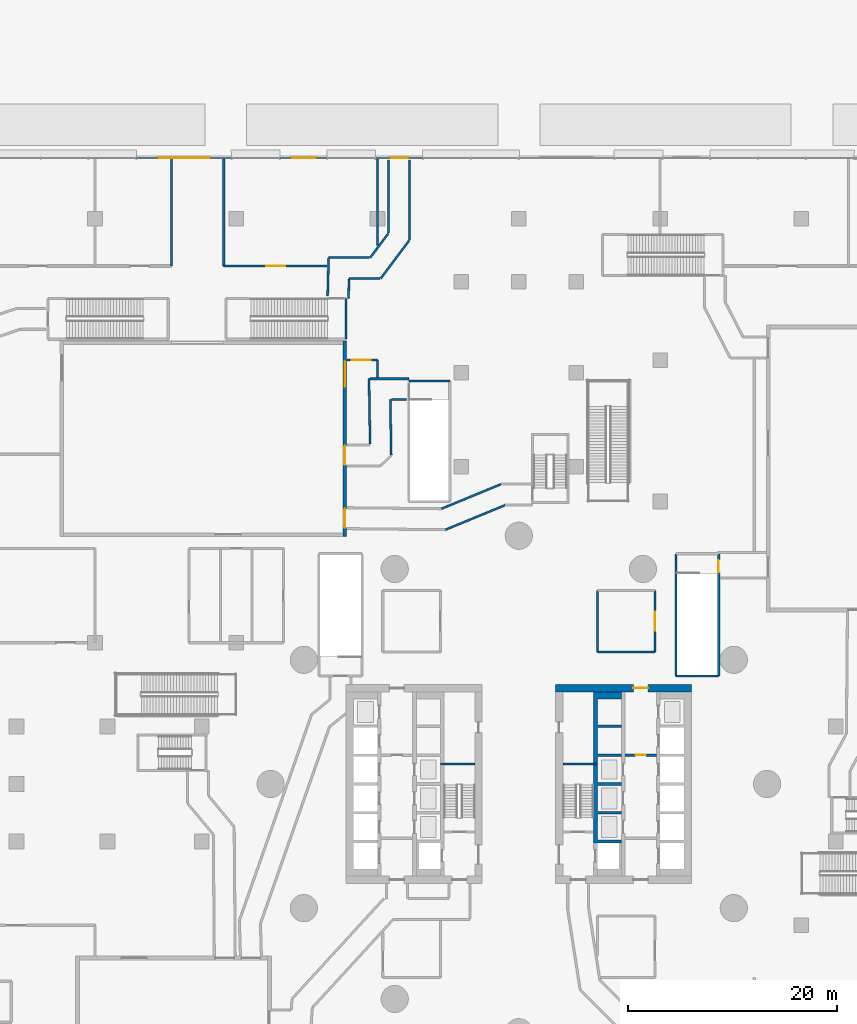
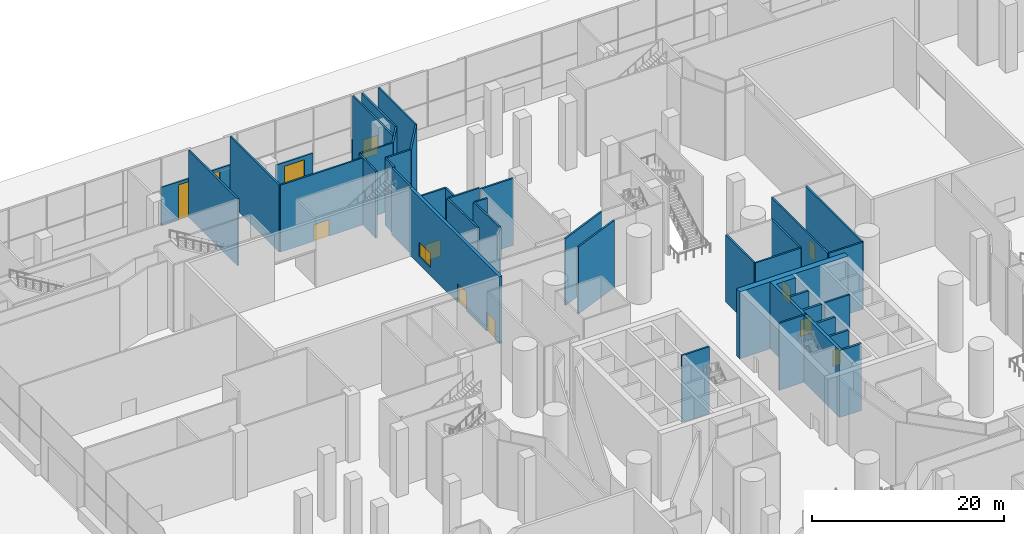
# One storey, part 29 of 54: 37 walls, 11 doors, 1 window, 12 openings.
"""IFC4 building model written with IfcOpenShell, lengths in metres."""

from ifc_helpers import new_model, si_unit, direction, frame, frame_2d, origin, place, context, subcontext, project, spatial, polyline, rectangle, outline, extrude, material, layer, layer_set, type_object, element, fill, save


model = new_model("IFC4")

# Units and contexts
model_context = context("Model", 3, precision=1e-05, world=origin(), true_north=direction((0.0, 1.0)))
body_context = subcontext(model_context, "Body", "Model", "MODEL_VIEW")
ifc_project = project(units=[si_unit("LENGTHUNIT", "METRE"), si_unit("AREAUNIT", "SQUARE_METRE"), si_unit("VOLUMEUNIT", "CUBIC_METRE"), si_unit("PLANEANGLEUNIT", "RADIAN"), si_unit("MASSUNIT", "GRAM", prefix="KILO")], contexts=[model_context])

# Site, building, storey
site_placement = place(None, origin())
site = spatial("IfcSite", under=ifc_project, at=site_placement, CompositionType="ELEMENT")
building_placement = place(site_placement, origin())
building = spatial("IfcBuilding", under=site, at=building_placement, Name="Tamarind Cross Interchange Tower", CompositionType="ELEMENT")
storey_placement = place(building_placement, origin())
storey = spatial("IfcBuildingStorey", under=building, at=storey_placement, Name="L00", CompositionType="ELEMENT", Elevation=0.0)

# Wall, opening, door
ifc_material_1 = material(Name="Concrete C80", Category="concrete")
ifc_layer_1 = layer(ifc_material_1, 0.699951171875)
ifc_layer_set_1 = layer_set([ifc_layer_1], Name="Concrete C80")
wall_type_1 = type_object("IfcWallType", Name="Core wall 700 mm Concrete C80", PredefinedType="SHEAR", material=ifc_layer_set_1)
wall_1_placement = place(storey_placement, frame((16.5, 9.14990234375, 0.0), z_axis=(0.0, 0.0, 1.0), x_axis=(-1.0, 0.0, 0.0)))
wall_1 = element("IfcWall", 1, at=wall_1_placement, inside=storey, type_object=wall_type_1, Name="Core wall CWL-L00-E-N", PredefinedType="SHEAR", context=body_context, shape_type="SweptSolid", body=[
    extrude(rectangle(XDim=13.0, YDim=0.699951171875, at=frame_2d((6.5, 0.0))), origin(), (0.0, 0.0, 1.0), 8.5),
])
opening_1_placement = place(wall_1_placement, frame((4.14990234375, 0.0, 0.0)))
opening_1 = element("IfcOpeningElement", 2, at=opening_1_placement, cuts=wall_1, Name="Opening DCE3", PredefinedType="OPENING", context=body_context, shape_type="SweptSolid", body=[
    extrude(rectangle(XDim=1.39990234375, YDim=2.10009765625, at=frame_2d((0.699951171875, 1.050048828125))), frame((0.0, 0.35986328125, 0.0), z_axis=(0.0, -1.0, 0.0), x_axis=(1.0, 0.0, 0.0)), (0.0, 0.0, 1.0), 0.719970703125),
])
ifc_material_2 = material(Name="Steel, fire-resisting", Category="steel")
door_type_1 = type_object("IfcDoorType", Name="Core fire door 1400 x 2100 FD90", OperationType="SINGLE_SWING_LEFT", PredefinedType="DOOR", material=ifc_material_2)
door_1_placement = place(opening_1_placement, origin())
door_1 = element("IfcDoor", 3, at=door_1_placement, inside=storey, type_object=door_type_1, Name="L00 observation lobby door", OperationType="SINGLE_SWING_LEFT", OverallHeight=2.10009765625, OverallWidth=1.39990234375, PredefinedType="DOOR", context=body_context, shape_type="SweptSolid", body=[
    extrude(rectangle(XDim=1.39990234375, YDim=2.10009765625, at=frame_2d((0.699951171875, 1.050048828125))), frame((0.0, 0.02490234375, 0.0), z_axis=(0.0, -1.0, 0.0), x_axis=(1.0, 0.0, 0.0)), (0.0, 0.0, 1.0), 0.050048828125),
])
fill(opening_1, door_1)

# Walls
ifc_layer_2 = layer(ifc_material_1, 0.199951171875)
ifc_layer_set_2 = layer_set([ifc_layer_2], Name="Concrete C80")
wall_type_2 = type_object("IfcWallType", Name="Core web wall 200 mm Concrete C80", PredefinedType="SHEAR", material=ifc_layer_set_2)
for number, where, z_axis, x_axis, name in (
    (4, (-7.5, 1.89990234375, 0.0), (0.0, 0.0, 1.0), (1.0, 0.0, 0.0), "Core wall CWL-L00-W-BD"),
    (5, (7.5, 1.89990234375, 0.0), (0.0, 0.0, 1.0), (-1.0, 0.0, 0.0), "Core wall CWL-L00-E-BD"),
):
    element("IfcWall", number, at=place(storey_placement, frame(where, z_axis=z_axis, x_axis=x_axis)), inside=storey, type_object=wall_type_2, Name=name, PredefinedType="SHEAR", context=body_context, shape_type="SweptSolid", body=[
        extrude(rectangle(XDim=3.300048828125, YDim=0.199951171875, at=frame_2d((1.64990234375, 0.0))), origin(), (0.0, 0.0, 1.0), 8.5),
    ])
ifc_layer_3 = layer(ifc_material_1, 0.35009765625)
ifc_layer_set_3 = layer_set([ifc_layer_3], Name="Concrete C80")
wall_type_3 = type_object("IfcWallType", Name="Core web wall 350 mm Concrete C80", PredefinedType="SHEAR", material=ifc_layer_set_3)
wall_2_placement = place(storey_placement, origin())
element("IfcWall", 6, at=wall_2_placement, inside=storey, type_object=wall_type_3, Name="Core wall CWL-L00-E-BN", PredefinedType="SHEAR", context=body_context, shape_type="SweptSolid", body=[
    extrude(outline(polyline([(9.800048828125, -5.375), (7.5, -5.375), (7.5, -2.875), (9.800048828125, -2.875), (9.800048828125, -2.625), (7.5, -2.625), (7.5, -0.125), (9.800048828125, -0.125), (9.800048828125, 0.125), (7.5, 0.125), (7.5, 2.625), (9.800048828125, 2.625), (9.800048828125, 2.875), (7.5, 2.875), (7.5, 5.375), (9.800048828125, 5.375), (9.800048828125, 5.625), (7.5, 5.625), (7.5, 8.125), (9.800048828125, 8.125), (9.800048828125, 8.800048828125), (7.5, 8.800048828125), (7.14990234375, 8.800048828125), (7.14990234375, -5.625), (7.5, -5.625), (9.800048828125, -5.625), (9.800048828125, -5.375)])), origin(), (0.0, 0.0, 1.0), 8.5),
])
ifc_material_3 = material(Name="Masonry partition, fire-rated", Category="masonry")
ifc_layer_4 = layer(ifc_material_3, 0.199951171875)
ifc_layer_set_4 = layer_set([ifc_layer_4], Name="Masonry partition, fire-rated")
wall_type_4 = type_object("IfcWallType", Name="Fire partition 200 EI 120", PredefinedType="PARTITIONING", material=ifc_layer_set_4)
for number, where, z_axis, x_axis, name in (
    (7, (-33.199951171875, 49.5, 0.0), (0.0, 0.0, 1.0), (0.0, 1.0, 0.0), "L00 partition 78"),
    (8, (-28.199951171875, 49.5, 0.0), (0.0, 0.0, 1.0), (0.0, 1.0, 0.0), "L00 partition 88"),
):
    element("IfcWall", number, at=place(storey_placement, frame(where, z_axis=z_axis, x_axis=x_axis)), inside=storey, type_object=wall_type_4, Name=name, PredefinedType="PARTITIONING", context=body_context, shape_type="SweptSolid", body=[
        extrude(rectangle(XDim=10.198974609375, YDim=0.199951171875, at=frame_2d((5.099609375, 0.0))), origin(), (0.0, 0.0, 1.0), 8.5),
    ])

# Wall, opening, door
wall_3_placement = place(storey_placement, frame((-16.419921875, 40.5, 0.0), z_axis=(0.0, 0.0, 1.0), x_axis=(1.0, 0.0, 0.0)))
wall_3 = element("IfcWall", 9, at=wall_3_placement, inside=storey, type_object=wall_type_4, Name="L00 partition 91", PredefinedType="PARTITIONING", context=body_context, shape_type="SweptSolid", body=[
    extrude(rectangle(XDim=2.919921875, YDim=0.199951171875, at=frame_2d((1.4599609375, 0.0))), origin(), (0.0, 0.0, 1.0), 8.5),
])
opening_2_placement = place(wall_3_placement, frame((0.455078125, 0.0, 0.0)))
opening_2 = element("IfcOpeningElement", 10, at=opening_2_placement, cuts=wall_3, Name="Opening DL00-36", PredefinedType="OPENING", context=body_context, shape_type="SweptSolid", body=[
    extrude(rectangle(XDim=1.800048828125, YDim=2.10009765625, at=frame_2d((0.89990234375, 1.050048828125))), frame((0.0, 0.10986328125, 0.0), z_axis=(0.0, -1.0, 0.0), x_axis=(1.0, 0.0, 0.0)), (0.0, 0.0, 1.0), 0.219970703125),
])
door_type_2 = type_object("IfcDoorType", Name="Podium door 1800 x 2100 FD60", OperationType="SINGLE_SWING_LEFT", PredefinedType="DOOR", material=ifc_material_2)
door_2_placement = place(opening_2_placement, origin())
door_2 = element("IfcDoor", 11, at=door_2_placement, inside=storey, type_object=door_type_2, Name="L00 door Ticket Agency 0006", OperationType="SINGLE_SWING_RIGHT", OverallHeight=2.10009765625, OverallWidth=1.800048828125, PredefinedType="DOOR", context=body_context, shape_type="SweptSolid", body=[
    extrude(rectangle(XDim=1.800048828125, YDim=2.10009765625, at=frame_2d((0.89990234375, 1.050048828125))), frame((0.0, 0.02490234375, 0.0), z_axis=(0.0, -1.0, 0.0), x_axis=(1.0, 0.0, 0.0)), (0.0, 0.0, 1.0), 0.050048828125),
])
fill(opening_2, door_2)

# Wall
ifc_layer_5 = layer(ifc_material_3, 0.199951171875)
ifc_layer_set_5 = layer_set([ifc_layer_5], Name="Masonry partition, fire-rated")
wall_type_5 = type_object("IfcWallType", Name="Fire partition 200 EI 180", PredefinedType="PARTITIONING", material=ifc_layer_set_5)
wall_4_placement = place(storey_placement, frame((-13.5, 51.433349609375, 0.0), z_axis=(0.0, 0.0, 1.0), x_axis=(0.0, 1.0, 0.0)))
element("IfcWall", 12, at=wall_4_placement, inside=storey, type_object=wall_type_5, Name="L00 partition 86", PredefinedType="PARTITIONING", context=body_context, shape_type="SweptSolid", body=[
    extrude(rectangle(XDim=8.265625, YDim=0.199951171875, at=frame_2d((4.1328125, 0.0))), origin(), (0.0, 0.0, 1.0), 8.5),
])

# Wall, opening, door
wall_5_placement = place(storey_placement, frame((-28.199951171875, 49.5, 0.0), z_axis=(0.0, 0.0, 1.0), x_axis=(1.0, 0.0, 0.0)))
wall_5 = element("IfcWall", 13, at=wall_5_placement, inside=storey, type_object=wall_type_5, Name="L00 partition 87", PredefinedType="PARTITIONING", context=body_context, shape_type="SweptSolid", body=[
    extrude(rectangle(XDim=9.884765625, YDim=0.199951171875, at=frame_2d((4.9423828125, 0.0))), origin(), (0.0, 0.0, 1.0), 8.5),
])
opening_3_placement = place(wall_5_placement, frame((4.059814453125, 0.0, 0.0)))
opening_3 = element("IfcOpeningElement", 14, at=opening_3_placement, cuts=wall_5, Name="Opening DL00-37", PredefinedType="OPENING", context=body_context, shape_type="SweptSolid", body=[
    extrude(rectangle(XDim=1.800048828125, YDim=2.10009765625, at=frame_2d((0.89990234375, 1.050048828125))), frame((0.0, 0.10986328125, 0.0), z_axis=(0.0, -1.0, 0.0), x_axis=(1.0, 0.0, 0.0)), (0.0, 0.0, 1.0), 0.219970703125),
])
door_3_placement = place(opening_3_placement, origin())
door_3 = element("IfcDoor", 15, at=door_3_placement, inside=storey, type_object=door_type_2, Name="L00 door Newsagent 0008", OperationType="SINGLE_SWING_LEFT", OverallHeight=2.10009765625, OverallWidth=1.800048828125, PredefinedType="DOOR", context=body_context, shape_type="SweptSolid", body=[
    extrude(rectangle(XDim=1.800048828125, YDim=2.10009765625, at=frame_2d((0.89990234375, 1.050048828125))), frame((0.0, 0.02490234375, 0.0), z_axis=(0.0, -1.0, 0.0), x_axis=(1.0, 0.0, 0.0)), (0.0, 0.0, 1.0), 0.050048828125),
])
fill(opening_3, door_3)

# Wall
wall_6_placement = place(storey_placement, frame((-13.5, 38.844970703125, 0.0), z_axis=(0.0, 0.0, 1.0), x_axis=(0.0, 1.0, 0.0)))
element("IfcWall", 16, at=wall_6_placement, inside=storey, type_object=wall_type_5, Name="L00 partition 92", PredefinedType="PARTITIONING", context=body_context, shape_type="SweptSolid", body=[
    extrude(rectangle(XDim=1.655029296875, YDim=0.199951171875, at=frame_2d((0.82763671875, 0.0))), origin(), (0.0, 0.0, 1.0), 8.5),
])

# Wall, opening, door
ifc_layer_6 = layer(ifc_material_3, 0.199951171875)
ifc_layer_set_6 = layer_set([ifc_layer_6], Name="Masonry partition, fire-rated")
wall_type_6 = type_object("IfcWallType", Name="Fire partition 200 EI 90", PredefinedType="PARTITIONING", material=ifc_layer_set_6)
wall_7_placement = place(storey_placement, frame((13.0, 12.60009765625, 0.0), z_axis=(0.0, 0.0, 1.0), x_axis=(0.0, 1.0, 0.0)))
wall_7 = element("IfcWall", 17, at=wall_7_placement, inside=storey, type_object=wall_type_6, Name="L00 partition 111", PredefinedType="PARTITIONING", context=body_context, shape_type="SweptSolid", body=[
    extrude(rectangle(XDim=5.89990234375, YDim=0.199951171875, at=frame_2d((2.949951171875, 0.0))), origin(), (0.0, 0.0, 1.0), 8.5),
])
opening_4_placement = place(wall_7_placement, frame((2.050048828125, 0.0, 0.0)))
opening_4 = element("IfcOpeningElement", 18, at=opening_4_placement, cuts=wall_7, Name="Opening DL00-34", PredefinedType="OPENING", context=body_context, shape_type="SweptSolid", body=[
    extrude(rectangle(XDim=1.800048828125, YDim=2.10009765625, at=frame_2d((0.89990234375, 1.050048828125))), frame((0.0, 0.10986328125, 0.0), z_axis=(0.0, -1.0, 0.0), x_axis=(1.0, 0.0, 0.0)), (0.0, 0.0, 1.0), 0.219970703125),
])
door_4_placement = place(opening_4_placement, origin())
door_4 = element("IfcDoor", 19, at=door_4_placement, inside=storey, type_object=door_type_2, Name="L00 door Hotel Lobby", OperationType="SINGLE_SWING_RIGHT", OverallHeight=2.10009765625, OverallWidth=1.800048828125, PredefinedType="DOOR", context=body_context, shape_type="SweptSolid", body=[
    extrude(rectangle(XDim=1.800048828125, YDim=2.10009765625, at=frame_2d((0.89990234375, 1.050048828125))), frame((0.0, 0.02490234375, 0.0), z_axis=(0.0, -1.0, 0.0), x_axis=(1.0, 0.0, 0.0)), (0.0, 0.0, 1.0), 0.050048828125),
])
fill(opening_4, door_4)

# Walls
wall_8_placement = place(storey_placement, frame((7.5, 12.60009765625, 0.0), z_axis=(0.0, 0.0, 1.0), x_axis=(1.0, 0.0, 0.0)))
element("IfcWall", 20, at=wall_8_placement, inside=storey, type_object=wall_type_6, Name="L00 partition 112", PredefinedType="PARTITIONING", context=body_context, shape_type="SweptSolid", body=[
    extrude(rectangle(XDim=5.5, YDim=0.199951171875, at=frame_2d((2.75, 0.0))), origin(), (0.0, 0.0, 1.0), 8.5),
])
wall_9_placement = place(storey_placement, frame((7.5, 12.60009765625, 0.0), z_axis=(0.0, 0.0, 1.0), x_axis=(0.0, 1.0, 0.0)))
element("IfcWall", 21, at=wall_9_placement, inside=storey, type_object=wall_type_6, Name="L00 partition 113", PredefinedType="PARTITIONING", context=body_context, shape_type="SweptSolid", body=[
    extrude(rectangle(XDim=5.89990234375, YDim=0.199951171875, at=frame_2d((2.949951171875, 0.0))), origin(), (0.0, 0.0, 1.0), 8.5),
])

# Wall, opening, door
ifc_material_4 = material(Name="Precast concrete C40", Category="concrete")
ifc_layer_7 = layer(ifc_material_4, 0.35009765625)
ifc_layer_set_7 = layer_set([ifc_layer_7], Name="Precast concrete C40")
wall_type_7 = type_object("IfcWallType", Name="Podium facade wall", PredefinedType="SOLIDWALL", material=ifc_layer_set_7)
wall_10_placement = place(storey_placement, frame((-9.1806640625, 59.800048828125, 0.0), z_axis=(0.0, 0.0, 1.0), x_axis=(-1.0, 0.0, 0.0)))
wall_10 = element("IfcWall", 22, at=wall_10_placement, inside=storey, type_object=wall_type_7, Name="EXW-L00-02-D16", PredefinedType="SOLIDWALL", context=body_context, shape_type="SweptSolid", body=[
    extrude(rectangle(XDim=4.490234375, YDim=0.199951171875, at=frame_2d((2.2451171875, 0.0))), origin(), (0.0, 0.0, 1.0), 2.89990234375),
])
opening_5_placement = place(wall_10_placement, frame((1.34521484375, 0.0, 0.0)))
opening_5 = element("IfcOpeningElement", 23, at=opening_5_placement, cuts=wall_10, Name="Opening D7", PredefinedType="OPENING", context=body_context, shape_type="SweptSolid", body=[
    extrude(rectangle(XDim=1.800048828125, YDim=2.39990234375, at=frame_2d((0.89990234375, 1.199951171875))), frame((0.0, 0.10986328125, 0.0), z_axis=(0.0, -1.0, 0.0), x_axis=(1.0, 0.0, 0.0)), (0.0, 0.0, 1.0), 0.219970703125),
])
ifc_material_5 = material(Name="Steel FD90", Category="steel")
door_type_3 = type_object("IfcDoorType", Name="Exit passage door", OperationType="DOUBLE_DOOR_SINGLE_SWING", PredefinedType="DOOR", material=ifc_material_5)
door_5_placement = place(opening_5_placement, frame((1.800048828125, 0.0, 0.0), z_axis=(0.0, 0.0, 1.0), x_axis=(-1.0, 0.0, 0.0)))
door_5 = element("IfcDoor", 24, at=door_5_placement, inside=storey, type_object=door_type_3, Name="DOR-L00-02-16", OperationType="SINGLE_SWING_LEFT", OverallHeight=2.39990234375, OverallWidth=1.800048828125, PredefinedType="DOOR", context=body_context, shape_type="SweptSolid", body=[
    extrude(rectangle(XDim=1.800048828125, YDim=2.39990234375, at=frame_2d((0.89990234375, 1.199951171875))), frame((0.0, 0.02490234375, 0.0), z_axis=(0.0, -1.0, 0.0), x_axis=(1.0, 0.0, 0.0)), (0.0, 0.0, 1.0), 0.050048828125),
])
fill(opening_5, door_5)

wall_11_placement = place(storey_placement, frame((-18.3212890625, 59.800048828125, 0.0), z_axis=(0.0, 0.0, 1.0), x_axis=(-1.0, 0.0, 0.0)))
wall_11 = element("IfcWall", 25, at=wall_11_placement, inside=storey, type_object=wall_type_7, Name="EXW-L00-02-D18", PredefinedType="SOLIDWALL", context=body_context, shape_type="SweptSolid", body=[
    extrude(rectangle(XDim=4.490234375, YDim=0.199951171875, at=frame_2d((2.2451171875, 0.0))), origin(), (0.0, 0.0, 1.0), 2.89990234375),
])
opening_6_placement = place(wall_11_placement, frame((1.045166015625, 0.0, 0.0)))
opening_6 = element("IfcOpeningElement", 26, at=opening_6_placement, cuts=wall_11, Name="Opening D1", PredefinedType="OPENING", context=body_context, shape_type="SweptSolid", body=[
    extrude(rectangle(XDim=2.39990234375, YDim=2.39990234375, at=frame_2d((1.199951171875, 1.199951171875))), frame((0.0, 0.10986328125, 0.0), z_axis=(0.0, -1.0, 0.0), x_axis=(1.0, 0.0, 0.0)), (0.0, 0.0, 1.0), 0.219970703125),
])
ifc_material_6 = material(Name="Toughened glass and aluminium", Category="aluminium")
door_type_4 = type_object("IfcDoorType", Name="Station entrance door", OperationType="DOUBLE_DOOR_DOUBLE_SWING", PredefinedType="DOOR", material=ifc_material_6)
door_6_placement = place(opening_6_placement, frame((2.39990234375, 0.0, 0.0), z_axis=(0.0, 0.0, 1.0), x_axis=(-1.0, 0.0, 0.0)))
door_6 = element("IfcDoor", 27, at=door_6_placement, inside=storey, type_object=door_type_4, Name="DOR-L00-02-18", OperationType="DOUBLE_DOOR_DOUBLE_SWING", OverallHeight=2.39990234375, OverallWidth=2.39990234375, PredefinedType="DOOR", context=body_context, shape_type="SweptSolid", body=[
    extrude(rectangle(XDim=2.39990234375, YDim=2.39990234375, at=frame_2d((1.199951171875, 1.199951171875))), frame((0.0, 0.02490234375, 0.0), z_axis=(0.0, -1.0, 0.0), x_axis=(1.0, 0.0, 0.0)), (0.0, 0.0, 1.0), 0.050048828125),
])
fill(opening_6, door_6)

wall_12_placement = place(storey_placement, frame((-27.4619140625, 59.800048828125, 0.0), z_axis=(0.0, 0.0, 1.0), x_axis=(-1.0, 0.0, 0.0)))
wall_12 = element("IfcWall", 28, at=wall_12_placement, inside=storey, type_object=wall_type_7, Name="EXW-L00-02-D20", PredefinedType="SOLIDWALL", context=body_context, shape_type="SweptSolid", body=[
    extrude(rectangle(XDim=9.060546875, YDim=0.199951171875, at=frame_2d((4.5302734375, 0.0))), origin(), (0.0, 0.0, 1.0), 4.89990234375),
])
opening_7_placement = place(wall_12_placement, frame((2.0302734375, 0.0, 0.0)))
opening_7 = element("IfcOpeningElement", 29, at=opening_7_placement, cuts=wall_12, Name="Opening D9", PredefinedType="OPENING", context=body_context, shape_type="SweptSolid", body=[
    extrude(rectangle(XDim=5.0, YDim=4.5, at=frame_2d((2.5, 2.25))), frame((0.0, 0.10986328125, 0.0), z_axis=(0.0, -1.0, 0.0), x_axis=(1.0, 0.0, 0.0)), (0.0, 0.0, 1.0), 0.219970703125),
])
ifc_material_7 = material(Name="Galvanised steel", Category="steel")
door_type_5 = type_object("IfcDoorType", Name="Vehicle roller shutter, 5.0 m", OperationType="ROLLINGUP", PredefinedType="DOOR", material=ifc_material_7)
door_7_placement = place(opening_7_placement, origin())
door_7 = element("IfcDoor", 30, at=door_7_placement, inside=storey, type_object=door_type_5, Name="DOR-L00-02-20", OperationType="SINGLE_SWING_LEFT", OverallHeight=4.5, OverallWidth=5.0, PredefinedType="DOOR", context=body_context, shape_type="SweptSolid", body=[
    extrude(rectangle(XDim=5.0, YDim=4.5, at=frame_2d((2.5, 2.25))), frame((0.0, 0.02490234375, 0.0), z_axis=(0.0, -1.0, 0.0), x_axis=(1.0, 0.0, 0.0)), (0.0, 0.0, 1.0), 0.050048828125),
])
fill(opening_7, door_7)

# Wall, openings, doors, window
wall_13_placement = place(storey_placement, frame((-16.625, 23.64990234375, 0.0), z_axis=(0.0, 0.0, 1.0), x_axis=(0.0, 1.0, 0.0)))
wall_13 = element("IfcWall", 31, at=wall_13_placement, inside=storey, type_object=wall_type_7, Name="CTW-L00-NWE00", PredefinedType="SOLIDWALL", context=body_context, shape_type="SweptSolid", body=[
    extrude(rectangle(XDim=18.7001953125, YDim=0.35009765625, at=frame_2d((9.35009765625, 0.0))), origin(), (0.0, 0.0, 1.0), 8.5),
])
opening_8_placement = place(wall_13_placement, frame((0.85009765625, 0.0, 0.0)))
opening_8 = element("IfcOpeningElement", 32, at=opening_8_placement, cuts=wall_13, Name="Opening D7", PredefinedType="OPENING", context=body_context, shape_type="SweptSolid", body=[
    extrude(rectangle(XDim=1.800048828125, YDim=2.39990234375, at=frame_2d((0.89990234375, 1.199951171875))), frame((0.0, 0.18505859375, 0.0), z_axis=(0.0, -1.0, 0.0), x_axis=(1.0, 0.0, 0.0)), (0.0, 0.0, 1.0), 0.3701171875),
])
opening_9_placement = place(wall_13_placement, frame((6.85009765625, 0.0, 0.0)))
opening_9 = element("IfcOpeningElement", 33, at=opening_9_placement, cuts=wall_13, Name="Opening D7", PredefinedType="OPENING", context=body_context, shape_type="SweptSolid", body=[
    extrude(rectangle(XDim=1.800048828125, YDim=2.39990234375, at=frame_2d((0.89990234375, 1.199951171875))), frame((0.0, 0.18505859375, 0.0), z_axis=(0.0, -1.0, 0.0), x_axis=(1.0, 0.0, 0.0)), (0.0, 0.0, 1.0), 0.3701171875),
])
opening_10_placement = place(wall_13_placement, frame((14.300048828125, 0.0, 1.0)))
opening_10 = element("IfcOpeningElement", 34, at=opening_10_placement, cuts=wall_13, Name="Opening W4", PredefinedType="OPENING", context=body_context, shape_type="SweptSolid", body=[
    extrude(rectangle(XDim=2.39990234375, YDim=1.800048828125, at=frame_2d((1.199951171875, 0.89990234375))), frame((0.0, 0.18505859375, 0.0), z_axis=(0.0, -1.0, 0.0), x_axis=(1.0, 0.0, 0.0)), (0.0, 0.0, 1.0), 0.3701171875),
])
door_8_placement = place(opening_8_placement, origin())
door_8 = element("IfcDoor", 35, at=door_8_placement, inside=storey, type_object=door_type_3, Name="Exit stair ST4 door to the NW fire court", OperationType="SINGLE_SWING_LEFT", OverallHeight=2.39990234375, OverallWidth=1.800048828125, PredefinedType="DOOR", context=body_context, shape_type="SweptSolid", body=[
    extrude(rectangle(XDim=1.800048828125, YDim=2.39990234375, at=frame_2d((0.89990234375, 1.199951171875))), frame((0.0, 0.02490234375, 0.0), z_axis=(0.0, -1.0, 0.0), x_axis=(1.0, 0.0, 0.0)), (0.0, 0.0, 1.0), 0.050048828125),
])
fill(opening_8, door_8)
door_9_placement = place(opening_9_placement, origin())
door_9 = element("IfcDoor", 36, at=door_9_placement, inside=storey, type_object=door_type_3, Name="Exit stair XS-P13 door to the NW fire court", OperationType="SINGLE_SWING_LEFT", OverallHeight=2.39990234375, OverallWidth=1.800048828125, PredefinedType="DOOR", context=body_context, shape_type="SweptSolid", body=[
    extrude(rectangle(XDim=1.800048828125, YDim=2.39990234375, at=frame_2d((0.89990234375, 1.199951171875))), frame((0.0, 0.02490234375, 0.0), z_axis=(0.0, -1.0, 0.0), x_axis=(1.0, 0.0, 0.0)), (0.0, 0.0, 1.0), 0.050048828125),
])
fill(opening_9, door_9)
ifc_material_8 = material(Name="Aluminium and toughened glass", Category="aluminium")
window_type = type_object("IfcWindowType", Name="Podium daylight window", PartitioningType="SINGLE_PANEL", PredefinedType="WINDOW", material=ifc_material_8)
window_placement = place(opening_10_placement, origin())
window = element("IfcWindow", 37, at=window_placement, inside=storey, type_object=window_type, Name="CTX-L00-NWE-01-00", OverallHeight=1.800048828125, OverallWidth=2.39990234375, PartitioningType="SINGLE_PANEL", PredefinedType="WINDOW", context=body_context, shape_type="SweptSolid", body=[
    extrude(rectangle(XDim=2.39990234375, YDim=1.800048828125, at=frame_2d((1.199951171875, 0.89990234375))), frame((0.0, 0.030029296875, 0.0), z_axis=(0.0, -1.0, 0.0), x_axis=(1.0, 0.0, 0.0)), (0.0, 0.0, 1.0), 0.06005859375),
])
fill(opening_10, window)

# Walls
ifc_material_9 = material(Name="Concrete C40", Category="concrete")
ifc_layer_8 = layer(ifc_material_9, 0.199951171875)
ifc_layer_set_8 = layer_set([ifc_layer_8], Name="Concrete C40")
wall_type_8 = type_object("IfcWallType", Name="Protected passage wall 200 EI 180", PredefinedType="PARTITIONING", material=ifc_layer_set_8)
wall_14_placement = place(storey_placement, frame((-1.302001953125, 26.64990234375, 0.0), z_axis=(0.0, 0.0, 1.0), x_axis=(-0.92451250122, -0.381151721874, 0.0)))
element("IfcWall", 38, at=wall_14_placement, inside=storey, type_object=wall_type_8, Name="L00 passage wall 127", PredefinedType="PARTITIONING", context=body_context, shape_type="SweptSolid", body=[
    extrude(rectangle(XDim=6.1708984375, YDim=0.199951171875, at=frame_2d((3.08544921875, 0.0))), origin(), (0.0, 0.0, 1.0), 8.5),
])
wall_15_placement = place(storey_placement, frame((-1.697998046875, 28.64990234375, 0.0), z_axis=(0.0, 0.0, 1.0), x_axis=(-0.924522061362, -0.381128532198, 0.0)))
element("IfcWall", 39, at=wall_15_placement, inside=storey, type_object=wall_type_8, Name="L00 passage wall 130", PredefinedType="PARTITIONING", context=body_context, shape_type="SweptSolid", body=[
    extrude(rectangle(XDim=6.15966796875, YDim=0.199951171875, at=frame_2d((3.079833984375, 0.0))), origin(), (0.0, 0.0, 1.0), 8.5),
])
wall_16_placement = place(storey_placement, frame((-18.269775390625, 46.6201171875, 0.0), z_axis=(0.0, 0.0, 1.0), x_axis=(0.025885861475, 0.999664904944, 0.0)))
element("IfcWall", 40, at=wall_16_placement, inside=storey, type_object=wall_type_8, Name="L00 passage wall 183", PredefinedType="PARTITIONING", context=body_context, shape_type="SweptSolid", body=[
    extrude(rectangle(XDim=3.631103515625, YDim=0.199951171875, at=frame_2d((1.8154296875, 0.0))), origin(), (0.0, 0.0, 1.0), 8.5),
])
wall_17_placement = place(storey_placement, frame((-18.174560546875, 50.300048828125, 0.0), z_axis=(0.0, 0.0, 1.0), x_axis=(1.0, 0.0, 0.0)))
element("IfcWall", 41, at=wall_17_placement, inside=storey, type_object=wall_type_8, Name="L00 passage wall 184", PredefinedType="PARTITIONING", context=body_context, shape_type="SweptSolid", body=[
    extrude(rectangle(XDim=3.924560546875, YDim=0.199951171875, at=frame_2d((1.96240234375, 0.0))), origin(), (0.0, 0.0, 1.0), 8.5),
])
wall_18_placement = place(storey_placement, frame((-14.199951171875, 50.300048828125, 0.0), z_axis=(0.0, 0.0, 1.0), x_axis=(0.600013626908, 0.799989779638, 0.0)))
element("IfcWall", 42, at=wall_18_placement, inside=storey, type_object=wall_type_8, Name="L00 passage wall 185", PredefinedType="PARTITIONING", context=body_context, shape_type="SweptSolid", body=[
    extrude(rectangle(XDim=2.866455078125, YDim=0.199951171875, at=frame_2d((1.43310546875, 0.0))), origin(), (0.0, 0.0, 1.0), 8.5),
])
wall_19_placement = place(storey_placement, frame((-12.449951171875, 52.63330078125, 0.0), z_axis=(0.0, 0.0, 1.0), x_axis=(0.0, 1.0, 0.0)))
element("IfcWall", 43, at=wall_19_placement, inside=storey, type_object=wall_type_8, Name="L00 passage wall 186", PredefinedType="PARTITIONING", context=body_context, shape_type="SweptSolid", body=[
    extrude(rectangle(XDim=7.0166015625, YDim=0.199951171875, at=frame_2d((3.50830078125, 0.0))), origin(), (0.0, 0.0, 1.0), 8.5),
])
wall_20_placement = place(storey_placement, frame((-16.275390625, 46.3740234375, 0.0), z_axis=(0.0, 0.0, 1.0), x_axis=(0.025889289227, 0.999664816178, 0.0)))
element("IfcWall", 44, at=wall_20_placement, inside=storey, type_object=wall_type_8, Name="L00 passage wall 187", PredefinedType="PARTITIONING", context=body_context, shape_type="SweptSolid", body=[
    extrude(rectangle(XDim=1.876708984375, YDim=0.199951171875, at=frame_2d((0.9384765625, 0.0))), origin(), (0.0, 0.0, 1.0), 8.5),
])
wall_21_placement = place(storey_placement, frame((-16.2255859375, 48.300048828125, 0.0), z_axis=(0.0, 0.0, 1.0), x_axis=(1.0, 0.0, 0.0)))
element("IfcWall", 45, at=wall_21_placement, inside=storey, type_object=wall_type_8, Name="L00 passage wall 188", PredefinedType="PARTITIONING", context=body_context, shape_type="SweptSolid", body=[
    extrude(rectangle(XDim=2.9755859375, YDim=0.199951171875, at=frame_2d((1.48779296875, 0.0))), origin(), (0.0, 0.0, 1.0), 8.5),
])
wall_22_placement = place(storey_placement, frame((-13.199951171875, 48.300048828125, 0.0), z_axis=(0.0, 0.0, 1.0), x_axis=(0.599991383268, 0.800006462476, 0.0)))
element("IfcWall", 46, at=wall_22_placement, inside=storey, type_object=wall_type_8, Name="L00 passage wall 189", PredefinedType="PARTITIONING", context=body_context, shape_type="SweptSolid", body=[
    extrude(rectangle(XDim=4.533447265625, YDim=0.199951171875, at=frame_2d((2.2666015625, 0.0))), origin(), (0.0, 0.0, 1.0), 8.5),
])
wall_23_placement = place(storey_placement, frame((-10.449951171875, 51.966796875, 0.0), z_axis=(0.0, 0.0, 1.0), x_axis=(0.0, 1.0, 0.0)))
element("IfcWall", 47, at=wall_23_placement, inside=storey, type_object=wall_type_8, Name="L00 passage wall 190", PredefinedType="PARTITIONING", context=body_context, shape_type="SweptSolid", body=[
    extrude(rectangle(XDim=7.68310546875, YDim=0.199951171875, at=frame_2d((3.841552734375, 0.0))), origin(), (0.0, 0.0, 1.0), 8.5),
])
wall_24_placement = place(storey_placement, frame((-10.719970703125, 36.72509765625, 0.0), z_axis=(0.0, 0.0, 1.0), x_axis=(-1.0, 0.0, 0.0)))
element("IfcWall", 48, at=wall_24_placement, inside=storey, type_object=wall_type_8, Name="L00 passage wall 218", PredefinedType="PARTITIONING", context=body_context, shape_type="SweptSolid", body=[
    extrude(rectangle(XDim=1.463134765625, YDim=0.199951171875, at=frame_2d((0.7314453125, 0.0))), origin(), (0.0, 0.0, 1.0), 8.5),
])
wall_25_placement = place(storey_placement, frame((-12.282958984375, 36.72509765625, 0.0), z_axis=(0.0, 0.0, 1.0), x_axis=(0.016867069191, -0.99985774087, 0.0)))
element("IfcWall", 49, at=wall_25_placement, inside=storey, type_object=wall_type_8, Name="L00 passage wall 219", PredefinedType="PARTITIONING", context=body_context, shape_type="SweptSolid", body=[
    extrude(rectangle(XDim=5.297607421875, YDim=0.199951171875, at=frame_2d((2.64892578125, 0.0))), origin(), (0.0, 0.0, 1.0), 8.5),
])
wall_26_placement = place(storey_placement, frame((-10.5, 38.72509765625, 0.0), z_axis=(0.0, 0.0, 1.0), x_axis=(-1.0, 0.0, 0.0)))
element("IfcWall", 50, at=wall_26_placement, inside=storey, type_object=wall_type_8, Name="L00 passage wall 222", PredefinedType="PARTITIONING", context=body_context, shape_type="SweptSolid", body=[
    extrude(rectangle(XDim=3.717041015625, YDim=0.199951171875, at=frame_2d((1.8583984375, 0.0))), origin(), (0.0, 0.0, 1.0), 8.5),
])
wall_27_placement = place(storey_placement, frame((-14.31689453125, 38.72509765625, 0.0), z_axis=(0.0, 0.0, 1.0), x_axis=(0.016861670238, -0.999857831933, 0.0)))
element("IfcWall", 51, at=wall_27_placement, inside=storey, type_object=wall_type_8, Name="L00 passage wall 223", PredefinedType="PARTITIONING", context=body_context, shape_type="SweptSolid", body=[
    extrude(rectangle(XDim=6.22607421875, YDim=0.199951171875, at=frame_2d((3.113037109375, 0.0))), origin(), (0.0, 0.0, 1.0), 8.5),
])

# Wall, opening, door
ifc_layer_9 = layer(ifc_material_9, 0.199951171875)
ifc_layer_set_9 = layer_set([ifc_layer_9], Name="Concrete C40")
wall_type_9 = type_object("IfcWallType", Name="Shaft and lobby wall 200 mm Concrete C40", PredefinedType="PARTITIONING", material=ifc_layer_set_9)
wall_28_placement = place(storey_placement, frame((13.14990234375, 2.75, 0.0), z_axis=(0.0, 0.0, 1.0), x_axis=(-1.0, 0.0, 0.0)))
wall_28 = element("IfcWall", 52, at=wall_28_placement, inside=storey, type_object=wall_type_9, Name="Shaft wall CWL-L00-E-OBS", PredefinedType="PARTITIONING", context=body_context, shape_type="SweptSolid", body=[
    extrude(rectangle(XDim=3.0, YDim=0.199951171875, at=frame_2d((1.5, 0.0))), origin(), (0.0, 0.0, 1.0), 8.5),
])
opening_11_placement = place(wall_28_placement, frame((1.0, 0.0, 0.0)))
opening_11 = element("IfcOpeningElement", 53, at=opening_11_placement, cuts=wall_28, Name="Opening DCE32", PredefinedType="OPENING", context=body_context, shape_type="SweptSolid", body=[
    extrude(rectangle(XDim=1.0, YDim=2.10009765625, at=frame_2d((0.5, 1.050048828125))), frame((0.0, 0.10986328125, 0.0), z_axis=(0.0, -1.0, 0.0), x_axis=(1.0, 0.0, 0.0)), (0.0, 0.0, 1.0), 0.219970703125),
])
door_type_6 = type_object("IfcDoorType", Name="Core fire door 1000 x 2100 FD90", OperationType="SINGLE_SWING_LEFT", PredefinedType="DOOR", material=ifc_material_2)
door_10_placement = place(opening_11_placement, origin())
door_10 = element("IfcDoor", 54, at=door_10_placement, inside=storey, type_object=door_type_6, Name="L00 lift hall door to observation lobby", OperationType="SINGLE_SWING_LEFT", OverallHeight=2.10009765625, OverallWidth=1.0, PredefinedType="DOOR", context=body_context, shape_type="SweptSolid", body=[
    extrude(rectangle(XDim=1.0, YDim=2.10009765625, at=frame_2d((0.5, 1.050048828125))), frame((0.0, 0.02490234375, 0.0), z_axis=(0.0, -1.0, 0.0), x_axis=(1.0, 0.0, 0.0)), (0.0, 0.0, 1.0), 0.050048828125),
])
fill(opening_11, door_10)

# Walls
ifc_layer_10 = layer(ifc_material_9, 0.199951171875)
ifc_layer_set_10 = layer_set([ifc_layer_10], Name="Concrete C40")
wall_type_10 = type_object("IfcWallType", Name="Stair shaft wall 200 EI 180", PredefinedType="PARTITIONING", material=ifc_layer_set_10)
for number, where, z_axis, x_axis, name in (
    (55, (-16.5, 42.5, 0.0), (0.0, 0.0, 1.0), (0.0, 1.0, 0.0), "L00 stair shaft wall 28"),
    (56, (-10.5, 38.5, 0.0), (0.0, 0.0, 1.0), (1.0, 0.0, 0.0), "L00 stair shaft wall 32"),
):
    element("IfcWall", number, at=place(storey_placement, frame(where, z_axis=z_axis, x_axis=x_axis)), inside=storey, type_object=wall_type_10, Name=name, PredefinedType="PARTITIONING", context=body_context, shape_type="SweptSolid", body=[
        extrude(rectangle(XDim=3.89990234375, YDim=0.199951171875, at=frame_2d((1.949951171875, 0.0))), origin(), (0.0, 0.0, 1.0), 8.5),
    ])
wall_29_placement = place(storey_placement, frame((15.0, 10.300048828125, 0.0), z_axis=(0.0, 0.0, 1.0), x_axis=(0.0, 1.0, 0.0)))
element("IfcWall", 57, at=wall_29_placement, inside=storey, type_object=wall_type_10, Name="L00 stair shaft wall 37", PredefinedType="PARTITIONING", context=body_context, shape_type="SweptSolid", body=[
    extrude(rectangle(XDim=11.699951171875, YDim=0.199951171875, at=frame_2d((5.85009765625, 0.0))), origin(), (0.0, 0.0, 1.0), 8.5),
])

# Wall, opening, door
wall_30_placement = place(storey_placement, frame((19.10009765625, 10.300048828125, 0.0), z_axis=(0.0, 0.0, 1.0), x_axis=(0.0, 1.0, 0.0)))
wall_30 = element("IfcWall", 58, at=wall_30_placement, inside=storey, type_object=wall_type_10, Name="L00 stair shaft wall 39", PredefinedType="PARTITIONING", context=body_context, shape_type="SweptSolid", body=[
    extrude(rectangle(XDim=11.699951171875, YDim=0.199951171875, at=frame_2d((5.85009765625, 0.0))), origin(), (0.0, 0.0, 1.0), 8.5),
])
opening_12_placement = place(wall_30_placement, frame((9.885986328125, 0.0, 0.0)))
opening_12 = element("IfcOpeningElement", 59, at=opening_12_placement, cuts=wall_30, Name="Opening DL00-02", PredefinedType="OPENING", context=body_context, shape_type="SweptSolid", body=[
    extrude(rectangle(XDim=1.199951171875, YDim=2.10009765625, at=frame_2d((0.60009765625, 1.050048828125))), frame((0.0, 0.10986328125, 0.0), z_axis=(0.0, -1.0, 0.0), x_axis=(1.0, 0.0, 0.0)), (0.0, 0.0, 1.0), 0.219970703125),
])
door_type_7 = type_object("IfcDoorType", Name="Podium door 1200 x 2100 FD90", OperationType="SINGLE_SWING_LEFT", PredefinedType="DOOR", material=ifc_material_2)
door_11_placement = place(opening_12_placement, origin())
door_11 = element("IfcDoor", 60, at=door_11_placement, inside=storey, type_object=door_type_7, Name="L00 door Car Park Exit Stair East", OperationType="SINGLE_SWING_RIGHT", OverallHeight=2.10009765625, OverallWidth=1.199951171875, PredefinedType="DOOR", context=body_context, shape_type="SweptSolid", body=[
    extrude(rectangle(XDim=1.199951171875, YDim=2.10009765625, at=frame_2d((0.60009765625, 1.050048828125))), frame((0.0, 0.02490234375, 0.0), z_axis=(0.0, -1.0, 0.0), x_axis=(1.0, 0.0, 0.0)), (0.0, 0.0, 1.0), 0.050048828125),
])
fill(opening_12, door_11)

# Wall
wall_31_placement = place(storey_placement, frame((15.0, 10.300048828125, 0.0), z_axis=(0.0, 0.0, 1.0), x_axis=(1.0, 0.0, 0.0)))
element("IfcWall", 61, at=wall_31_placement, inside=storey, type_object=wall_type_10, Name="L00 stair shaft wall 40", PredefinedType="PARTITIONING", context=body_context, shape_type="SweptSolid", body=[
    extrude(rectangle(XDim=4.10009765625, YDim=0.199951171875, at=frame_2d((2.050048828125, 0.0))), origin(), (0.0, 0.0, 1.0), 8.5),
])

save(model, "model.ifc")
